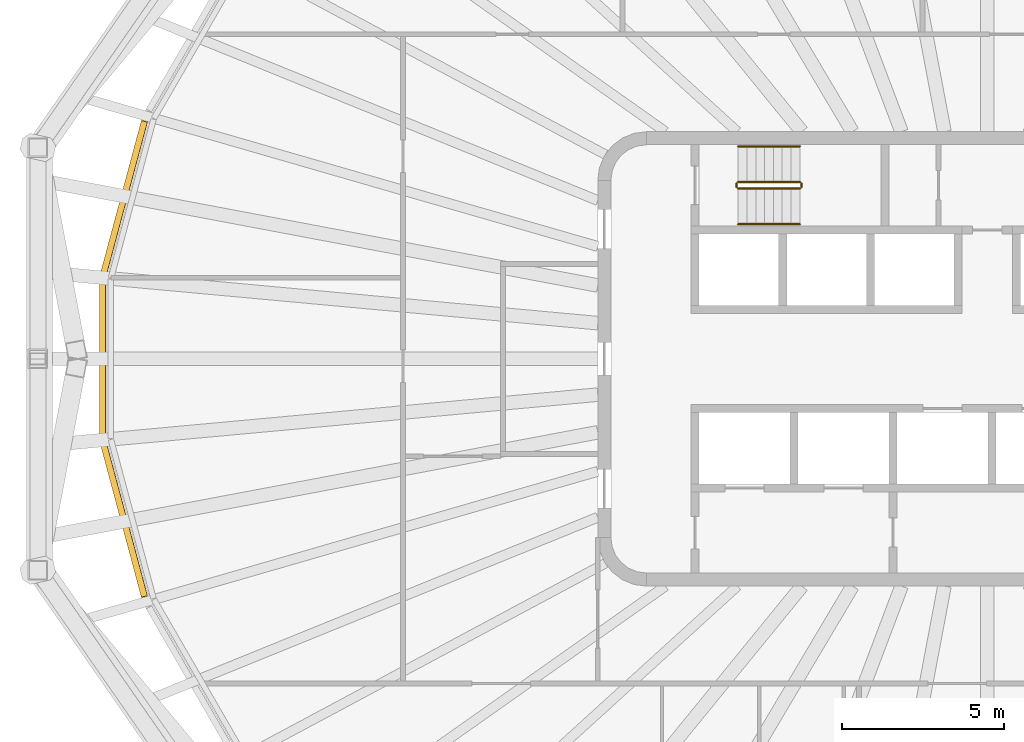
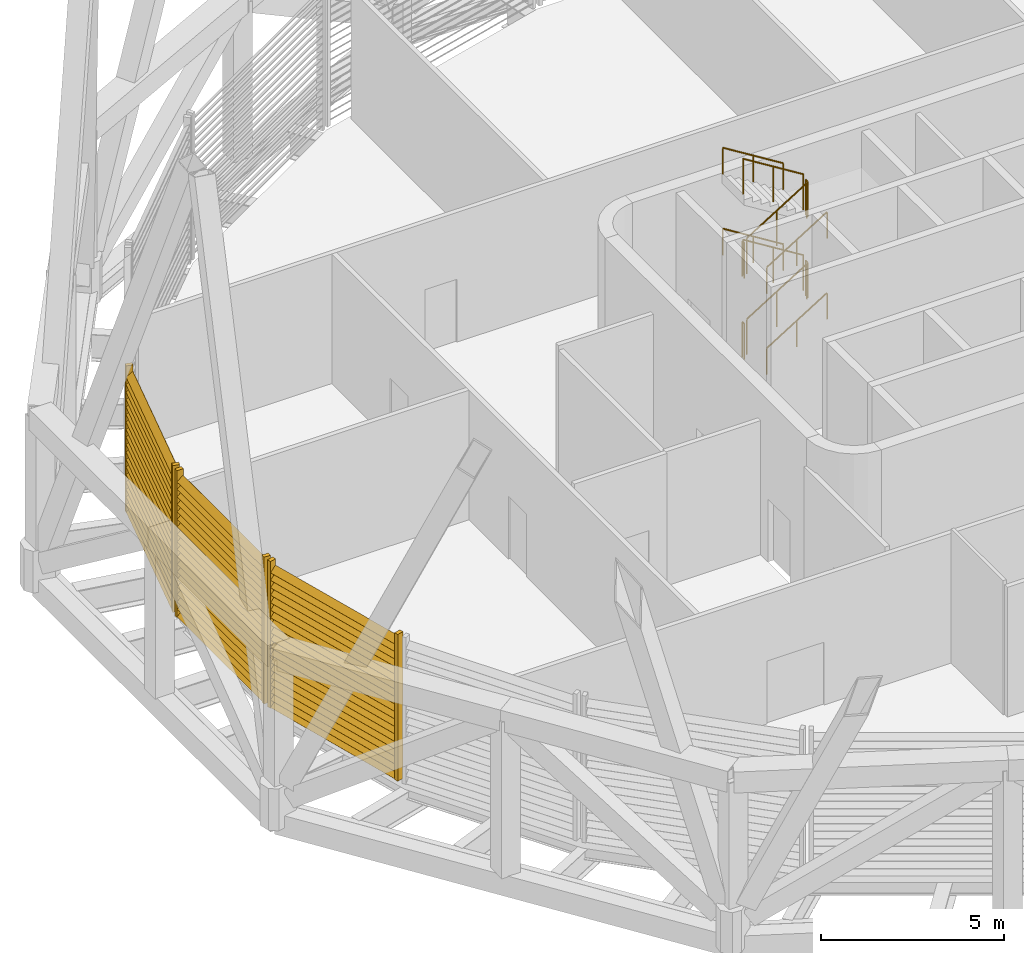
# One storey, part 12 of 16: 12 railings, 3 shading devices.
"""IFC4 building model written with IfcOpenShell, lengths in metres."""

import ifcopenshell
import ifcopenshell.guid

model = None  # the IFC model being written
_history = None  # IfcOwnerHistory: only IFC2X3 demands one
_inside = {}  # id of a spatial element -> (the spatial element, [elements in it])
_under = {}  # id of a project, library or spatial element -> (it, [spatial elements below it])
_declared = {}  # id of a project -> (the project, [libraries it declares])
_typed = {}  # id of a type object -> (the type object, [elements of that type])
_made_of = {}  # id of a material, layer set ... -> (it, [elements and type objects made of it])


def new_model(schema):
    """Start an empty IFC model of exactly this schema.

    Asked for "IFC4X3", IfcOpenShell would pick the latest addendum, in which some entities
    have other attributes; the version numbers below select the first issue.
    IFC2X3 requires an IfcOwnerHistory on every rooted entity: one is made here for all.
    """
    global model, _history
    if schema == "IFC4X3":
        model = ifcopenshell.file(schema_version=(4, 3, 0, 0))
    else:
        model = ifcopenshell.file(schema=schema)
    _inside.clear()
    _under.clear()
    _declared.clear()
    _typed.clear()
    _made_of.clear()
    _history = None
    if model.schema == "IFC2X3":
        org = make("IfcOrganization", Name="unknown")
        user = make(
            "IfcPersonAndOrganization",
            ThePerson=make("IfcPerson", FamilyName="unknown"),
            TheOrganization=org,
        )
        app = make(
            "IfcApplication",
            ApplicationDeveloper=org,
            Version="unknown",
            ApplicationFullName="unknown",
            ApplicationIdentifier="unknown",
        )
        _history = make(
            "IfcOwnerHistory",
            OwningUser=user,
            OwningApplication=app,
            ChangeAction="ADDED",
            CreationDate=0,
        )
    return model


def make(cls, **values):
    """One entity of the class cls with the attributes given. An attribute that is None is left unset."""
    return model.create_entity(
        cls, **{name: value for name, value in values.items() if value is not None}
    )


def rooted(cls, **values):
    """An entity with a GlobalId (a new one), such as an element, a storey or a relation."""
    return make(cls, GlobalId=ifcopenshell.guid.new(), OwnerHistory=_history, **values)


def si_unit(unit_type, name, prefix=None):
    """IfcSIUnit, for example si_unit("LENGTHUNIT", "METRE", prefix="MILLI")."""
    return make("IfcSIUnit", UnitType=unit_type, Prefix=prefix, Name=name)


def assignment(units):
    """IfcUnitAssignment: the units of a project."""
    return None if units is None else make("IfcUnitAssignment", Units=units)


def point(xyz):
    """IfcCartesianPoint."""
    return None if xyz is None else make("IfcCartesianPoint", Coordinates=xyz)


def direction(xyz):
    """IfcDirection."""
    return None if xyz is None else make("IfcDirection", DirectionRatios=xyz)


def frame(location, z_axis=None, x_axis=None):
    """IfcAxis2Placement3D, a coordinate frame: its origin and axes. An axis left out is left unset."""
    return make(
        "IfcAxis2Placement3D",
        Location=point(location),
        Axis=direction(z_axis),
        RefDirection=direction(x_axis),
    )


def frame_2d(location, x_axis=None):
    """IfcAxis2Placement2D, a coordinate frame in the plane: its origin and x axis."""
    return make(
        "IfcAxis2Placement2D", Location=point(location), RefDirection=direction(x_axis)
    )


def origin():
    """The frame at (0, 0, 0) with its axes left unset."""
    return frame((0.0, 0.0, 0.0))


def origin_2d():
    """The frame at (0, 0) in the plane with its x axis left unset."""
    return frame_2d((0.0, 0.0))


def place(relative_to, where):
    """IfcLocalPlacement: puts the frame where relative to a parent placement (None: the world)."""
    return make(
        "IfcLocalPlacement", PlacementRelTo=relative_to, RelativePlacement=where
    )


def context(
    kind, dimensions, precision=None, world=None, true_north=None, identifier=None
):
    """IfcGeometricRepresentationContext, for example the 3D "Model" context."""
    return make(
        "IfcGeometricRepresentationContext",
        ContextIdentifier=identifier,
        ContextType=kind,
        CoordinateSpaceDimension=dimensions,
        Precision=precision,
        WorldCoordinateSystem=world,
        TrueNorth=true_north,
    )


def subcontext(parent, identifier, kind, view, scale=None):
    """IfcGeometricRepresentationSubContext, for example "Body" below "Model"."""
    return make(
        "IfcGeometricRepresentationSubContext",
        ContextIdentifier=identifier,
        ContextType=kind,
        ParentContext=parent,
        TargetScale=scale,
        TargetView=view,
    )


def project(units=None, contexts=None):
    """IfcProject with its units and contexts."""
    return rooted(
        "IfcProject",
        Name="project",
        RepresentationContexts=contexts,
        UnitsInContext=assignment(units),
    )


def spatial(cls, under=None, at=None, **own):
    """A site, building, storey or space (cls), placed at a placement, below another one or the project."""
    s = rooted(cls, ObjectPlacement=at, **own)
    if under is not None:
        _under.setdefault(under.id(), (under, []))[1].append(s)
    return s


def profile(cls, at=None, kind="AREA", **sizes):
    """A parametric profile (cls). Its sizes go by their IFC names, for example OverallWidth=200.0."""
    return make(cls, ProfileType=kind, Position=at, **sizes)


def rectangle(**sizes):
    """IfcRectangleProfileDef."""
    return profile("IfcRectangleProfileDef", **sizes)


def circle(**sizes):
    """IfcCircleProfileDef."""
    return profile("IfcCircleProfileDef", **sizes)


def extrude(swept, where, along, depth):
    """IfcExtrudedAreaSolid: the profile swept, set in the frame where, extruded along a direction by depth."""
    return make(
        "IfcExtrudedAreaSolid",
        SweptArea=swept,
        Position=where,
        ExtrudedDirection=direction(along),
        Depth=depth,
    )


def shape(context_of_items, identifier, shape_type, items):
    """IfcShapeRepresentation: the items that make up one representation, for example the "Body"."""
    return make(
        "IfcShapeRepresentation",
        ContextOfItems=context_of_items,
        RepresentationIdentifier=identifier,
        RepresentationType=shape_type,
        Items=items,
    )


def material(Name=None, Category=None):
    """IfcMaterial."""
    return make("IfcMaterial", Name=Name, Category=Category)


def made_of(thing, what):
    """Note that an element or type object is made of a material, layer set ...; save() writes the relation."""
    if what is not None:
        _made_of.setdefault(what.id(), (what, []))[1].append(thing)
    return thing


def type_object(cls, material=None, **own):
    """A type object (cls), such as IfcWallType, which elements share."""
    return made_of(rooted(cls, **own), material)


def element(
    cls,
    number,
    at=None,
    inside=None,
    cuts=None,
    type_object=None,
    material=None,
    context=None,
    identifier="Body",
    shape_type=None,
    held_by="IfcProductDefinitionShape",
    body=None,
    shapes=None,
    **own,
):
    """One element of the class cls, such as IfcWall. Its Tag is "e" and its number.

    at: its placement. inside: the storey or other place that contains it. cuts: it is an
    opening in that element (IfcRelVoidsElement). A single representation is given by context,
    identifier, shape_type and body (its items); several are given by shapes. held_by: the class
    of the entity that holds the representations. save() writes the other relations.
    """
    e = rooted(cls, Tag="e%d" % number, ObjectPlacement=at, **own)
    if body is not None:
        shapes = [shape(context, identifier, shape_type, body)]
    if shapes is not None:
        e.Representation = make(held_by, Representations=shapes)
    if inside is not None:
        _inside.setdefault(inside.id(), (inside, []))[1].append(e)
    if cuts is not None:
        rooted(
            "IfcRelVoidsElement", RelatingBuildingElement=cuts, RelatedOpeningElement=e
        )
    if type_object is not None:
        _typed.setdefault(type_object.id(), (type_object, []))[1].append(e)
    return made_of(e, material)


def aggregate(whole, parts):
    """IfcRelAggregates: a whole, such as a stair, and the parts it consists of."""
    return rooted("IfcRelAggregates", RelatingObject=whole, RelatedObjects=parts)


def save(model, path):
    """Write the relations noted so far, then the file.

    IfcRelAggregates (storeys below a building ...), IfcRelContainedInSpatialStructure (elements
    in a storey), IfcRelDefinesByType, IfcRelAssociatesMaterial and IfcRelDeclares: one each for
    every whole, place, type object, material and project.
    """
    for whole, parts in _under.values():
        aggregate(whole, parts)
    for where, things in _inside.values():
        rooted(
            "IfcRelContainedInSpatialStructure",
            RelatedElements=things,
            RelatingStructure=where,
        )
    for kind, things in _typed.values():
        rooted("IfcRelDefinesByType", RelatedObjects=things, RelatingType=kind)
    for what, things in _made_of.values():
        rooted("IfcRelAssociatesMaterial", RelatedObjects=things, RelatingMaterial=what)
    for by, libraries in _declared.values():
        rooted("IfcRelDeclares", RelatingContext=by, RelatedDefinitions=libraries)
    model.write(path)


model = new_model("IFC4")

# Units and contexts
model_context = context("Model", 3, precision=1e-05, world=origin(), true_north=direction((0.0, 1.0)))
body_context = subcontext(model_context, "Body", "Model", "MODEL_VIEW")
ifc_project = project(units=[si_unit("LENGTHUNIT", "METRE"), si_unit("AREAUNIT", "SQUARE_METRE"), si_unit("VOLUMEUNIT", "CUBIC_METRE"), si_unit("PLANEANGLEUNIT", "RADIAN"), si_unit("MASSUNIT", "GRAM", prefix="KILO")], contexts=[model_context])

# Site, building, storey
site_placement = place(None, origin())
site = spatial("IfcSite", under=ifc_project, at=site_placement, CompositionType="ELEMENT")
building_placement = place(site_placement, origin())
building = spatial("IfcBuilding", under=site, at=building_placement, Name="Sahrelin Media Tower", CompositionType="ELEMENT")
storey_placement = place(building_placement, frame((0.0, 0.0, 299.0)))
storey = spatial("IfcBuildingStorey", under=building, at=storey_placement, Name="L66", CompositionType="ELEMENT", Elevation=299.0)

# Shading devices
ifc_material_1 = material(Name="Champagne anodised aluminium 6063-T6", Category="aluminium")
shading_device_type = type_object("IfcShadingDeviceType", Name="Sand-rejection louvre band", PredefinedType="USERDEFINED", material=ifc_material_1)
shading_device_1_placement = place(storey_placement, frame((-26.4873046875, 4.972412109375, 0.0), z_axis=(0.0, 0.0, 1.0), x_axis=(0.258807731996, 0.965928857556, 0.0)))
element("IfcShadingDevice", 1, at=shading_device_1_placement, inside=storey, type_object=shading_device_type, Name="L66:LOUVRE:L66-11", ObjectType="LOUVRE", PredefinedType="USERDEFINED", context=body_context, shape_type="SweptSolid", body=[
    extrude(rectangle(XDim=0.1201171875, YDim=0.199951171875, at=origin_2d()), frame((2.459228515625, 0.10009765625, 0.050048828125), z_axis=(0.0, 0.0, 1.0), x_axis=(1.0, 0.0, 0.0)), (0.0, 0.0, 1.0), 4.8984375),
    extrude(rectangle(XDim=0.1201171875, YDim=0.199951171875, at=origin_2d()), frame((-2.459228515625, 0.10009765625, 0.050048828125), z_axis=(0.0, 0.0, 1.0), x_axis=(1.0, 0.0, 0.0)), (0.0, 0.0, 1.0), 4.8984375),
    extrude(rectangle(XDim=0.25, YDim=0.02001953125, at=origin_2d()), frame((2.3994140625, 0.10009765625, 0.14990234375), z_axis=(-1.0, 0.0, 0.0), x_axis=(0.0, -0.766044443119, 0.642787609687)), (0.0, 0.0, 1.0), 4.798828125),
    extrude(rectangle(XDim=0.25, YDim=0.02001953125, at=origin_2d()), frame((2.3994140625, 0.10009765625, 0.39990234375), z_axis=(-1.0, 0.0, 0.0), x_axis=(0.0, -0.766044443119, 0.642787609687)), (0.0, 0.0, 1.0), 4.798828125),
    extrude(rectangle(XDim=0.25, YDim=0.02001953125, at=origin_2d()), frame((2.3994140625, 0.10009765625, 0.64990234375), z_axis=(-1.0, 0.0, 0.0), x_axis=(0.0, -0.766044443119, 0.642787609687)), (0.0, 0.0, 1.0), 4.798828125),
    extrude(rectangle(XDim=0.25, YDim=0.02001953125, at=origin_2d()), frame((2.3994140625, 0.10009765625, 0.89990234375), z_axis=(-1.0, 0.0, 0.0), x_axis=(0.0, -0.766044443119, 0.642787609687)), (0.0, 0.0, 1.0), 4.798828125),
    extrude(rectangle(XDim=0.25, YDim=0.02001953125, at=origin_2d()), frame((2.3994140625, 0.10009765625, 1.14990234375), z_axis=(-1.0, 0.0, 0.0), x_axis=(0.0, -0.766044443119, 0.642787609687)), (0.0, 0.0, 1.0), 4.798828125),
    extrude(rectangle(XDim=0.25, YDim=0.02001953125, at=origin_2d()), frame((2.3994140625, 0.10009765625, 1.39990234375), z_axis=(-1.0, 0.0, 0.0), x_axis=(0.0, -0.766044443119, 0.642787609687)), (0.0, 0.0, 1.0), 4.798828125),
    extrude(rectangle(XDim=0.25, YDim=0.02001953125, at=origin_2d()), frame((2.3994140625, 0.10009765625, 1.64990234375), z_axis=(-1.0, 0.0, 0.0), x_axis=(0.0, -0.766044443119, 0.642787609687)), (0.0, 0.0, 1.0), 4.798828125),
    extrude(rectangle(XDim=0.25, YDim=0.02001953125, at=origin_2d()), frame((2.3994140625, 0.10009765625, 1.89990234375), z_axis=(-1.0, 0.0, 0.0), x_axis=(0.0, -0.766044443119, 0.642787609687)), (0.0, 0.0, 1.0), 4.798828125),
    extrude(rectangle(XDim=0.25, YDim=0.02001953125, at=origin_2d()), frame((2.3994140625, 0.10009765625, 2.14990234375), z_axis=(-1.0, 0.0, 0.0), x_axis=(0.0, -0.766044443119, 0.642787609687)), (0.0, 0.0, 1.0), 4.798828125),
    extrude(rectangle(XDim=0.25, YDim=0.02001953125, at=origin_2d()), frame((2.3994140625, 0.10009765625, 2.39990234375), z_axis=(-1.0, 0.0, 0.0), x_axis=(0.0, -0.766044443119, 0.642787609687)), (0.0, 0.0, 1.0), 4.798828125),
    extrude(rectangle(XDim=0.25, YDim=0.02001953125, at=origin_2d()), frame((2.3994140625, 0.10009765625, 2.64990234375), z_axis=(-1.0, 0.0, 0.0), x_axis=(0.0, -0.766044443119, 0.642787609687)), (0.0, 0.0, 1.0), 4.798828125),
    extrude(rectangle(XDim=0.25, YDim=0.02001953125, at=origin_2d()), frame((2.3994140625, 0.10009765625, 2.89990234375), z_axis=(-1.0, 0.0, 0.0), x_axis=(0.0, -0.766044443119, 0.642787609687)), (0.0, 0.0, 1.0), 4.798828125),
    extrude(rectangle(XDim=0.25, YDim=0.02001953125, at=origin_2d()), frame((2.3994140625, 0.10009765625, 3.14990234375), z_axis=(-1.0, 0.0, 0.0), x_axis=(0.0, -0.766044443119, 0.642787609687)), (0.0, 0.0, 1.0), 4.798828125),
    extrude(rectangle(XDim=0.25, YDim=0.02001953125, at=origin_2d()), frame((2.3994140625, 0.10009765625, 3.39990234375), z_axis=(-1.0, 0.0, 0.0), x_axis=(0.0, -0.766044443119, 0.642787609687)), (0.0, 0.0, 1.0), 4.798828125),
    extrude(rectangle(XDim=0.25, YDim=0.02001953125, at=origin_2d()), frame((2.3994140625, 0.10009765625, 3.64990234375), z_axis=(-1.0, 0.0, 0.0), x_axis=(0.0, -0.766044443119, 0.642787609687)), (0.0, 0.0, 1.0), 4.798828125),
    extrude(rectangle(XDim=0.25, YDim=0.02001953125, at=origin_2d()), frame((2.3994140625, 0.10009765625, 3.89990234375), z_axis=(-1.0, 0.0, 0.0), x_axis=(0.0, -0.766044443119, 0.642787609687)), (0.0, 0.0, 1.0), 4.798828125),
    extrude(rectangle(XDim=0.25, YDim=0.02001953125, at=origin_2d()), frame((2.3994140625, 0.10009765625, 4.14990234375), z_axis=(-1.0, 0.0, 0.0), x_axis=(0.0, -0.766044443119, 0.642787609687)), (0.0, 0.0, 1.0), 4.798828125),
    extrude(rectangle(XDim=0.25, YDim=0.02001953125, at=origin_2d()), frame((2.3994140625, 0.10009765625, 4.39990234375), z_axis=(-1.0, 0.0, 0.0), x_axis=(0.0, -0.766044443119, 0.642787609687)), (0.0, 0.0, 1.0), 4.798828125),
    extrude(rectangle(XDim=0.25, YDim=0.02001953125, at=origin_2d()), frame((2.3994140625, 0.10009765625, 4.64990234375), z_axis=(-1.0, 0.0, 0.0), x_axis=(0.0, -0.766044443119, 0.642787609687)), (0.0, 0.0, 1.0), 4.798828125),
])
shading_device_2_placement = place(storey_placement, frame((-27.15234375, 0.0, 0.0), z_axis=(0.0, 0.0, 1.0), x_axis=(0.0, 1.0, 0.0)))
element("IfcShadingDevice", 2, at=shading_device_2_placement, inside=storey, type_object=shading_device_type, Name="L66:LOUVRE:L66-12", ObjectType="LOUVRE", PredefinedType="USERDEFINED", context=body_context, shape_type="SweptSolid", body=[
    extrude(rectangle(XDim=0.1201171875, YDim=0.199951171875, at=origin_2d()), frame((2.380615234375, 0.10009765625, 0.050048828125), z_axis=(0.0, 0.0, 1.0), x_axis=(1.0, 0.0, 0.0)), (0.0, 0.0, 1.0), 4.8984375),
    extrude(rectangle(XDim=0.1201171875, YDim=0.199951171875, at=origin_2d()), frame((-2.380615234375, 0.10009765625, 0.050048828125), z_axis=(0.0, 0.0, 1.0), x_axis=(1.0, 0.0, 0.0)), (0.0, 0.0, 1.0), 4.8984375),
    extrude(rectangle(XDim=0.25, YDim=0.02001953125, at=origin_2d()), frame((2.32080078125, 0.10009765625, 0.14990234375), z_axis=(-1.0, 0.0, 0.0), x_axis=(0.0, -0.766044443119, 0.642787609687)), (0.0, 0.0, 1.0), 4.6416015625),
    extrude(rectangle(XDim=0.25, YDim=0.02001953125, at=origin_2d()), frame((2.32080078125, 0.10009765625, 0.39990234375), z_axis=(-1.0, 0.0, 0.0), x_axis=(0.0, -0.766044443119, 0.642787609687)), (0.0, 0.0, 1.0), 4.6416015625),
    extrude(rectangle(XDim=0.25, YDim=0.02001953125, at=origin_2d()), frame((2.32080078125, 0.10009765625, 0.64990234375), z_axis=(-1.0, 0.0, 0.0), x_axis=(0.0, -0.766044443119, 0.642787609687)), (0.0, 0.0, 1.0), 4.6416015625),
    extrude(rectangle(XDim=0.25, YDim=0.02001953125, at=origin_2d()), frame((2.32080078125, 0.10009765625, 0.89990234375), z_axis=(-1.0, 0.0, 0.0), x_axis=(0.0, -0.766044443119, 0.642787609687)), (0.0, 0.0, 1.0), 4.6416015625),
    extrude(rectangle(XDim=0.25, YDim=0.02001953125, at=origin_2d()), frame((2.32080078125, 0.10009765625, 1.14990234375), z_axis=(-1.0, 0.0, 0.0), x_axis=(0.0, -0.766044443119, 0.642787609687)), (0.0, 0.0, 1.0), 4.6416015625),
    extrude(rectangle(XDim=0.25, YDim=0.02001953125, at=origin_2d()), frame((2.32080078125, 0.10009765625, 1.39990234375), z_axis=(-1.0, 0.0, 0.0), x_axis=(0.0, -0.766044443119, 0.642787609687)), (0.0, 0.0, 1.0), 4.6416015625),
    extrude(rectangle(XDim=0.25, YDim=0.02001953125, at=origin_2d()), frame((2.32080078125, 0.10009765625, 1.64990234375), z_axis=(-1.0, 0.0, 0.0), x_axis=(0.0, -0.766044443119, 0.642787609687)), (0.0, 0.0, 1.0), 4.6416015625),
    extrude(rectangle(XDim=0.25, YDim=0.02001953125, at=origin_2d()), frame((2.32080078125, 0.10009765625, 1.89990234375), z_axis=(-1.0, 0.0, 0.0), x_axis=(0.0, -0.766044443119, 0.642787609687)), (0.0, 0.0, 1.0), 4.6416015625),
    extrude(rectangle(XDim=0.25, YDim=0.02001953125, at=origin_2d()), frame((2.32080078125, 0.10009765625, 2.14990234375), z_axis=(-1.0, 0.0, 0.0), x_axis=(0.0, -0.766044443119, 0.642787609687)), (0.0, 0.0, 1.0), 4.6416015625),
    extrude(rectangle(XDim=0.25, YDim=0.02001953125, at=origin_2d()), frame((2.32080078125, 0.10009765625, 2.39990234375), z_axis=(-1.0, 0.0, 0.0), x_axis=(0.0, -0.766044443119, 0.642787609687)), (0.0, 0.0, 1.0), 4.6416015625),
    extrude(rectangle(XDim=0.25, YDim=0.02001953125, at=origin_2d()), frame((2.32080078125, 0.10009765625, 2.64990234375), z_axis=(-1.0, 0.0, 0.0), x_axis=(0.0, -0.766044443119, 0.642787609687)), (0.0, 0.0, 1.0), 4.6416015625),
    extrude(rectangle(XDim=0.25, YDim=0.02001953125, at=origin_2d()), frame((2.32080078125, 0.10009765625, 2.89990234375), z_axis=(-1.0, 0.0, 0.0), x_axis=(0.0, -0.766044443119, 0.642787609687)), (0.0, 0.0, 1.0), 4.6416015625),
    extrude(rectangle(XDim=0.25, YDim=0.02001953125, at=origin_2d()), frame((2.32080078125, 0.10009765625, 3.14990234375), z_axis=(-1.0, 0.0, 0.0), x_axis=(0.0, -0.766044443119, 0.642787609687)), (0.0, 0.0, 1.0), 4.6416015625),
    extrude(rectangle(XDim=0.25, YDim=0.02001953125, at=origin_2d()), frame((2.32080078125, 0.10009765625, 3.39990234375), z_axis=(-1.0, 0.0, 0.0), x_axis=(0.0, -0.766044443119, 0.642787609687)), (0.0, 0.0, 1.0), 4.6416015625),
    extrude(rectangle(XDim=0.25, YDim=0.02001953125, at=origin_2d()), frame((2.32080078125, 0.10009765625, 3.64990234375), z_axis=(-1.0, 0.0, 0.0), x_axis=(0.0, -0.766044443119, 0.642787609687)), (0.0, 0.0, 1.0), 4.6416015625),
    extrude(rectangle(XDim=0.25, YDim=0.02001953125, at=origin_2d()), frame((2.32080078125, 0.10009765625, 3.89990234375), z_axis=(-1.0, 0.0, 0.0), x_axis=(0.0, -0.766044443119, 0.642787609687)), (0.0, 0.0, 1.0), 4.6416015625),
    extrude(rectangle(XDim=0.25, YDim=0.02001953125, at=origin_2d()), frame((2.32080078125, 0.10009765625, 4.14990234375), z_axis=(-1.0, 0.0, 0.0), x_axis=(0.0, -0.766044443119, 0.642787609687)), (0.0, 0.0, 1.0), 4.6416015625),
    extrude(rectangle(XDim=0.25, YDim=0.02001953125, at=origin_2d()), frame((2.32080078125, 0.10009765625, 4.39990234375), z_axis=(-1.0, 0.0, 0.0), x_axis=(0.0, -0.766044443119, 0.642787609687)), (0.0, 0.0, 1.0), 4.6416015625),
    extrude(rectangle(XDim=0.25, YDim=0.02001953125, at=origin_2d()), frame((2.32080078125, 0.10009765625, 4.64990234375), z_axis=(-1.0, 0.0, 0.0), x_axis=(0.0, -0.766044443119, 0.642787609687)), (0.0, 0.0, 1.0), 4.6416015625),
])
shading_device_3_placement = place(storey_placement, frame((-26.4873046875, -4.972412109375, 0.0), z_axis=(0.0, 0.0, 1.0), x_axis=(-0.258807731996, 0.965928857556, 0.0)))
element("IfcShadingDevice", 3, at=shading_device_3_placement, inside=storey, type_object=shading_device_type, Name="L66:LOUVRE:L66-13", ObjectType="LOUVRE", PredefinedType="USERDEFINED", context=body_context, shape_type="SweptSolid", body=[
    extrude(rectangle(XDim=0.1201171875, YDim=0.199951171875, at=origin_2d()), frame((2.459228515625, 0.10009765625, 0.050048828125), z_axis=(0.0, 0.0, 1.0), x_axis=(1.0, 0.0, 0.0)), (0.0, 0.0, 1.0), 4.8984375),
    extrude(rectangle(XDim=0.1201171875, YDim=0.199951171875, at=origin_2d()), frame((-2.459228515625, 0.10009765625, 0.050048828125), z_axis=(0.0, 0.0, 1.0), x_axis=(1.0, 0.0, 0.0)), (0.0, 0.0, 1.0), 4.8984375),
    extrude(rectangle(XDim=0.25, YDim=0.02001953125, at=origin_2d()), frame((2.3994140625, 0.10009765625, 0.14990234375), z_axis=(-1.0, 0.0, 0.0), x_axis=(0.0, -0.766044443119, 0.642787609687)), (0.0, 0.0, 1.0), 4.798828125),
    extrude(rectangle(XDim=0.25, YDim=0.02001953125, at=origin_2d()), frame((2.3994140625, 0.10009765625, 0.39990234375), z_axis=(-1.0, 0.0, 0.0), x_axis=(0.0, -0.766044443119, 0.642787609687)), (0.0, 0.0, 1.0), 4.798828125),
    extrude(rectangle(XDim=0.25, YDim=0.02001953125, at=origin_2d()), frame((2.3994140625, 0.10009765625, 0.64990234375), z_axis=(-1.0, 0.0, 0.0), x_axis=(0.0, -0.766044443119, 0.642787609687)), (0.0, 0.0, 1.0), 4.798828125),
    extrude(rectangle(XDim=0.25, YDim=0.02001953125, at=origin_2d()), frame((2.3994140625, 0.10009765625, 0.89990234375), z_axis=(-1.0, 0.0, 0.0), x_axis=(0.0, -0.766044443119, 0.642787609687)), (0.0, 0.0, 1.0), 4.798828125),
    extrude(rectangle(XDim=0.25, YDim=0.02001953125, at=origin_2d()), frame((2.3994140625, 0.10009765625, 1.14990234375), z_axis=(-1.0, 0.0, 0.0), x_axis=(0.0, -0.766044443119, 0.642787609687)), (0.0, 0.0, 1.0), 4.798828125),
    extrude(rectangle(XDim=0.25, YDim=0.02001953125, at=origin_2d()), frame((2.3994140625, 0.10009765625, 1.39990234375), z_axis=(-1.0, 0.0, 0.0), x_axis=(0.0, -0.766044443119, 0.642787609687)), (0.0, 0.0, 1.0), 4.798828125),
    extrude(rectangle(XDim=0.25, YDim=0.02001953125, at=origin_2d()), frame((2.3994140625, 0.10009765625, 1.64990234375), z_axis=(-1.0, 0.0, 0.0), x_axis=(0.0, -0.766044443119, 0.642787609687)), (0.0, 0.0, 1.0), 4.798828125),
    extrude(rectangle(XDim=0.25, YDim=0.02001953125, at=origin_2d()), frame((2.3994140625, 0.10009765625, 1.89990234375), z_axis=(-1.0, 0.0, 0.0), x_axis=(0.0, -0.766044443119, 0.642787609687)), (0.0, 0.0, 1.0), 4.798828125),
    extrude(rectangle(XDim=0.25, YDim=0.02001953125, at=origin_2d()), frame((2.3994140625, 0.10009765625, 2.14990234375), z_axis=(-1.0, 0.0, 0.0), x_axis=(0.0, -0.766044443119, 0.642787609687)), (0.0, 0.0, 1.0), 4.798828125),
    extrude(rectangle(XDim=0.25, YDim=0.02001953125, at=origin_2d()), frame((2.3994140625, 0.10009765625, 2.39990234375), z_axis=(-1.0, 0.0, 0.0), x_axis=(0.0, -0.766044443119, 0.642787609687)), (0.0, 0.0, 1.0), 4.798828125),
    extrude(rectangle(XDim=0.25, YDim=0.02001953125, at=origin_2d()), frame((2.3994140625, 0.10009765625, 2.64990234375), z_axis=(-1.0, 0.0, 0.0), x_axis=(0.0, -0.766044443119, 0.642787609687)), (0.0, 0.0, 1.0), 4.798828125),
    extrude(rectangle(XDim=0.25, YDim=0.02001953125, at=origin_2d()), frame((2.3994140625, 0.10009765625, 2.89990234375), z_axis=(-1.0, 0.0, 0.0), x_axis=(0.0, -0.766044443119, 0.642787609687)), (0.0, 0.0, 1.0), 4.798828125),
    extrude(rectangle(XDim=0.25, YDim=0.02001953125, at=origin_2d()), frame((2.3994140625, 0.10009765625, 3.14990234375), z_axis=(-1.0, 0.0, 0.0), x_axis=(0.0, -0.766044443119, 0.642787609687)), (0.0, 0.0, 1.0), 4.798828125),
    extrude(rectangle(XDim=0.25, YDim=0.02001953125, at=origin_2d()), frame((2.3994140625, 0.10009765625, 3.39990234375), z_axis=(-1.0, 0.0, 0.0), x_axis=(0.0, -0.766044443119, 0.642787609687)), (0.0, 0.0, 1.0), 4.798828125),
    extrude(rectangle(XDim=0.25, YDim=0.02001953125, at=origin_2d()), frame((2.3994140625, 0.10009765625, 3.64990234375), z_axis=(-1.0, 0.0, 0.0), x_axis=(0.0, -0.766044443119, 0.642787609687)), (0.0, 0.0, 1.0), 4.798828125),
    extrude(rectangle(XDim=0.25, YDim=0.02001953125, at=origin_2d()), frame((2.3994140625, 0.10009765625, 3.89990234375), z_axis=(-1.0, 0.0, 0.0), x_axis=(0.0, -0.766044443119, 0.642787609687)), (0.0, 0.0, 1.0), 4.798828125),
    extrude(rectangle(XDim=0.25, YDim=0.02001953125, at=origin_2d()), frame((2.3994140625, 0.10009765625, 4.14990234375), z_axis=(-1.0, 0.0, 0.0), x_axis=(0.0, -0.766044443119, 0.642787609687)), (0.0, 0.0, 1.0), 4.798828125),
    extrude(rectangle(XDim=0.25, YDim=0.02001953125, at=origin_2d()), frame((2.3994140625, 0.10009765625, 4.39990234375), z_axis=(-1.0, 0.0, 0.0), x_axis=(0.0, -0.766044443119, 0.642787609687)), (0.0, 0.0, 1.0), 4.798828125),
    extrude(rectangle(XDim=0.25, YDim=0.02001953125, at=origin_2d()), frame((2.3994140625, 0.10009765625, 4.64990234375), z_axis=(-1.0, 0.0, 0.0), x_axis=(0.0, -0.766044443119, 0.642787609687)), (0.0, 0.0, 1.0), 4.798828125),
])

# Railings
ifc_material_2 = material(Name="Steel S355", Category="steel")
railing_type_1 = type_object("IfcRailingType", Name="Stair guard 1200", PredefinedType="GUARDRAIL", material=ifc_material_2)
railing_1_placement = place(storey_placement, frame((-7.675048828125, 5.25, 0.168701171875)))
element("IfcRailing", 4, at=railing_1_placement, inside=storey, type_object=railing_type_1, Name="L66 ST1 stair guard 1", PredefinedType="GUARDRAIL", context=body_context, shape_type="SweptSolid", body=[
    extrude(circle(Radius=0.02392578125, at=origin_2d()), frame((0.0, 0.0, 1.17578125), z_axis=(0.849240365539, 0.0, 0.528006440812), x_axis=(0.0, 1.0, 0.0)), (0.0, 0.0, 1.0), 2.237548828125),
    extrude(circle(Radius=0.02099609375, at=origin_2d()), origin(), (0.0, 0.0, 1.0), 1.15185546875),
    extrude(circle(Radius=0.02099609375, at=origin_2d()), frame((0.9501953125, 0.0, 0.5908203125)), (0.0, 0.0, 1.0), 1.15185546875),
    extrude(circle(Radius=0.02099609375, at=origin_2d()), frame((1.900146484375, 0.0, 1.181396484375)), (0.0, 0.0, 1.0), 1.15185546875),
])
railing_2_placement = place(storey_placement, frame((-5.72509765625, 5.300048828125, 1.35009765625)))
element("IfcRailing", 5, at=railing_2_placement, inside=storey, type_object=railing_type_1, Name="L66 ST1 stair guard 2", PredefinedType="GUARDRAIL", context=body_context, shape_type="SweptSolid", body=[
    extrude(circle(Radius=0.02392578125, at=origin_2d()), frame((0.0, 0.0, 1.17578125), z_axis=(0.0, 1.0, 0.0), x_axis=(-1.0, 0.0, 0.0)), (0.0, 0.0, 1.0), 0.099853515625),
    extrude(circle(Radius=0.02099609375, at=origin_2d()), origin(), (0.0, 0.0, 1.0), 1.15185546875),
    extrude(circle(Radius=0.02099609375, at=origin_2d()), frame((0.0, 0.099853515625, 0.0)), (0.0, 0.0, 1.0), 1.15185546875),
])
railing_3_placement = place(storey_placement, frame((-5.77490234375, 5.449951171875, 1.518798828125)))
element("IfcRailing", 6, at=railing_3_placement, inside=storey, type_object=railing_type_1, Name="L66 ST1 stair guard 3", PredefinedType="GUARDRAIL", context=body_context, shape_type="SweptSolid", body=[
    extrude(circle(Radius=0.02392578125, at=origin_2d()), frame((0.0, 0.0, 1.17578125), z_axis=(-0.849289292259, 0.0, 0.527927739425), x_axis=(0.0, -1.0, 0.0)), (0.0, 0.0, 1.0), 2.2373046875),
    extrude(circle(Radius=0.02099609375, at=origin_2d()), origin(), (0.0, 0.0, 1.0), 1.15185546875),
    extrude(circle(Radius=0.02099609375, at=origin_2d()), frame((-0.9501953125, 0.0, 0.590576171875)), (0.0, 0.0, 1.0), 1.15185546875),
    extrude(circle(Radius=0.02099609375, at=origin_2d()), frame((-1.900146484375, 0.0, 1.18115234375)), (0.0, 0.0, 1.0), 1.15185546875),
])
railing_4_placement = place(storey_placement, frame((-7.72509765625, 5.300048828125, 2.699951171875)))
element("IfcRailing", 7, at=railing_4_placement, inside=storey, type_object=railing_type_1, Name="L66 ST1 stair guard 4", PredefinedType="GUARDRAIL", context=body_context, shape_type="SweptSolid", body=[
    extrude(circle(Radius=0.02392578125, at=origin_2d()), frame((0.0, 0.0, 1.17578125), z_axis=(0.0, 1.0, 0.0), x_axis=(-1.0, 0.0, 0.0)), (0.0, 0.0, 1.0), 0.099853515625),
    extrude(circle(Radius=0.02099609375, at=origin_2d()), origin(), (0.0, 0.0, 1.0), 1.15185546875),
    extrude(circle(Radius=0.02099609375, at=origin_2d()), frame((0.0, 0.099853515625, 0.0)), (0.0, 0.0, 1.0), 1.15185546875),
])
railing_5_placement = place(storey_placement, frame((-7.675048828125, 5.25, 2.86865234375)))
element("IfcRailing", 8, at=railing_5_placement, inside=storey, type_object=railing_type_1, Name="L66 ST1 stair guard 5", PredefinedType="GUARDRAIL", context=body_context, shape_type="SweptSolid", body=[
    extrude(circle(Radius=0.02392578125, at=origin_2d()), frame((0.0, 0.0, 1.17578125), z_axis=(0.849240365539, 0.0, 0.528006440812), x_axis=(0.0, 1.0, 0.0)), (0.0, 0.0, 1.0), 2.237548828125),
    extrude(circle(Radius=0.02099609375, at=origin_2d()), origin(), (0.0, 0.0, 1.0), 1.15185546875),
    extrude(circle(Radius=0.02099609375, at=origin_2d()), frame((0.9501953125, 0.0, 0.5908203125)), (0.0, 0.0, 1.0), 1.15185546875),
    extrude(circle(Radius=0.02099609375, at=origin_2d()), frame((1.900146484375, 0.0, 1.181396484375)), (0.0, 0.0, 1.0), 1.15185546875),
])
railing_6_placement = place(storey_placement, frame((-5.72509765625, 5.300048828125, 4.050048828125)))
element("IfcRailing", 9, at=railing_6_placement, inside=storey, type_object=railing_type_1, Name="L66 ST1 stair guard 6", PredefinedType="GUARDRAIL", context=body_context, shape_type="SweptSolid", body=[
    extrude(circle(Radius=0.02392578125, at=origin_2d()), frame((0.0, 0.0, 1.17578125), z_axis=(0.0, 1.0, 0.0), x_axis=(-1.0, 0.0, 0.0)), (0.0, 0.0, 1.0), 0.099853515625),
    extrude(circle(Radius=0.02099609375, at=origin_2d()), origin(), (0.0, 0.0, 1.0), 1.15185546875),
    extrude(circle(Radius=0.02099609375, at=origin_2d()), frame((0.0, 0.099853515625, 0.0)), (0.0, 0.0, 1.0), 1.15185546875),
])
railing_7_placement = place(storey_placement, frame((-5.77490234375, 5.449951171875, 4.21875)))
element("IfcRailing", 10, at=railing_7_placement, inside=storey, type_object=railing_type_1, Name="L66 ST1 stair guard 7", PredefinedType="GUARDRAIL", context=body_context, shape_type="SweptSolid", body=[
    extrude(circle(Radius=0.02392578125, at=origin_2d()), frame((0.0, 0.0, 1.17578125), z_axis=(-0.849289292259, 0.0, 0.527927739425), x_axis=(0.0, -1.0, 0.0)), (0.0, 0.0, 1.0), 2.2373046875),
    extrude(circle(Radius=0.02099609375, at=origin_2d()), origin(), (0.0, 0.0, 1.0), 1.15185546875),
    extrude(circle(Radius=0.02099609375, at=origin_2d()), frame((-0.9501953125, 0.0, 0.590576171875)), (0.0, 0.0, 1.0), 1.15185546875),
    extrude(circle(Radius=0.02099609375, at=origin_2d()), frame((-1.900146484375, 0.0, 1.18115234375)), (0.0, 0.0, 1.0), 1.15185546875),
])
railing_8_placement = place(storey_placement, frame((-7.72509765625, 5.300048828125, 0.0)))
element("IfcRailing", 11, at=railing_8_placement, inside=storey, type_object=railing_type_1, Name="L66 ST1 stair guard 8", PredefinedType="GUARDRAIL", context=body_context, shape_type="SweptSolid", body=[
    extrude(circle(Radius=0.02392578125, at=origin_2d()), frame((0.0, 0.0, 1.17578125), z_axis=(0.0, 1.0, 0.0), x_axis=(-1.0, 0.0, 0.0)), (0.0, 0.0, 1.0), 0.099853515625),
    extrude(circle(Radius=0.02099609375, at=origin_2d()), origin(), (0.0, 0.0, 1.0), 1.15185546875),
    extrude(circle(Radius=0.02099609375, at=origin_2d()), frame((0.0, 0.099853515625, 0.0)), (0.0, 0.0, 1.0), 1.15185546875),
])
railing_type_2 = type_object("IfcRailingType", Name="Stair handrail 900", PredefinedType="HANDRAIL", material=ifc_material_2)
railing_9_placement = place(storey_placement, frame((-7.675048828125, 4.14990234375, 0.168701171875)))
element("IfcRailing", 12, at=railing_9_placement, inside=storey, type_object=railing_type_2, Name="L66 ST1 stair handrail 1", PredefinedType="HANDRAIL", context=body_context, shape_type="SweptSolid", body=[
    extrude(circle(Radius=0.02392578125, at=origin_2d()), frame((0.0, 0.0, 0.8759765625), z_axis=(0.849240365539, 0.0, 0.528006440812), x_axis=(0.0, 1.0, 0.0)), (0.0, 0.0, 1.0), 2.237548828125),
    extrude(circle(Radius=0.02099609375, at=origin_2d()), origin(), (0.0, 0.0, 1.0), 0.851806640625),
    extrude(circle(Radius=0.02099609375, at=origin_2d()), frame((0.9501953125, 0.0, 0.5908203125)), (0.0, 0.0, 1.0), 0.851806640625),
    extrude(circle(Radius=0.02099609375, at=origin_2d()), frame((1.900146484375, 0.0, 1.181396484375)), (0.0, 0.0, 1.0), 0.851806640625),
])
railing_10_placement = place(storey_placement, frame((-5.77490234375, 6.550048828125, 1.518798828125)))
element("IfcRailing", 13, at=railing_10_placement, inside=storey, type_object=railing_type_2, Name="L66 ST1 stair handrail 2", PredefinedType="HANDRAIL", context=body_context, shape_type="SweptSolid", body=[
    extrude(circle(Radius=0.02392578125, at=origin_2d()), frame((0.0, 0.0, 0.8759765625), z_axis=(-0.849289292259, 0.0, 0.527927739425), x_axis=(0.0, -1.0, 0.0)), (0.0, 0.0, 1.0), 2.2373046875),
    extrude(circle(Radius=0.02099609375, at=origin_2d()), origin(), (0.0, 0.0, 1.0), 0.851806640625),
    extrude(circle(Radius=0.02099609375, at=origin_2d()), frame((-0.9501953125, 0.0, 0.590576171875)), (0.0, 0.0, 1.0), 0.851806640625),
    extrude(circle(Radius=0.02099609375, at=origin_2d()), frame((-1.900146484375, 0.0, 1.18115234375)), (0.0, 0.0, 1.0), 0.851806640625),
])
railing_11_placement = place(storey_placement, frame((-7.675048828125, 4.14990234375, 2.86865234375)))
element("IfcRailing", 14, at=railing_11_placement, inside=storey, type_object=railing_type_2, Name="L66 ST1 stair handrail 3", PredefinedType="HANDRAIL", context=body_context, shape_type="SweptSolid", body=[
    extrude(circle(Radius=0.02392578125, at=origin_2d()), frame((0.0, 0.0, 0.8759765625), z_axis=(0.849240365539, 0.0, 0.528006440812), x_axis=(0.0, 1.0, 0.0)), (0.0, 0.0, 1.0), 2.237548828125),
    extrude(circle(Radius=0.02099609375, at=origin_2d()), origin(), (0.0, 0.0, 1.0), 0.851806640625),
    extrude(circle(Radius=0.02099609375, at=origin_2d()), frame((0.9501953125, 0.0, 0.5908203125)), (0.0, 0.0, 1.0), 0.851806640625),
    extrude(circle(Radius=0.02099609375, at=origin_2d()), frame((1.900146484375, 0.0, 1.181396484375)), (0.0, 0.0, 1.0), 0.851806640625),
])
railing_12_placement = place(storey_placement, frame((-5.77490234375, 6.550048828125, 4.21875)))
element("IfcRailing", 15, at=railing_12_placement, inside=storey, type_object=railing_type_2, Name="L66 ST1 stair handrail 4", PredefinedType="HANDRAIL", context=body_context, shape_type="SweptSolid", body=[
    extrude(circle(Radius=0.02392578125, at=origin_2d()), frame((0.0, 0.0, 0.8759765625), z_axis=(-0.849289292259, 0.0, 0.527927739425), x_axis=(0.0, -1.0, 0.0)), (0.0, 0.0, 1.0), 2.2373046875),
    extrude(circle(Radius=0.02099609375, at=origin_2d()), origin(), (0.0, 0.0, 1.0), 0.851806640625),
    extrude(circle(Radius=0.02099609375, at=origin_2d()), frame((-0.9501953125, 0.0, 0.590576171875)), (0.0, 0.0, 1.0), 0.851806640625),
    extrude(circle(Radius=0.02099609375, at=origin_2d()), frame((-1.900146484375, 0.0, 1.18115234375)), (0.0, 0.0, 1.0), 0.851806640625),
])

save(model, "model.ifc")
